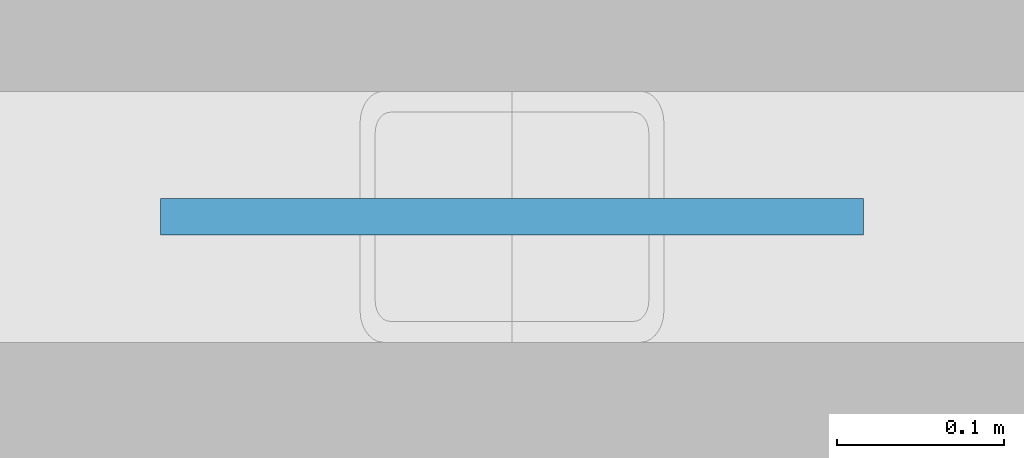
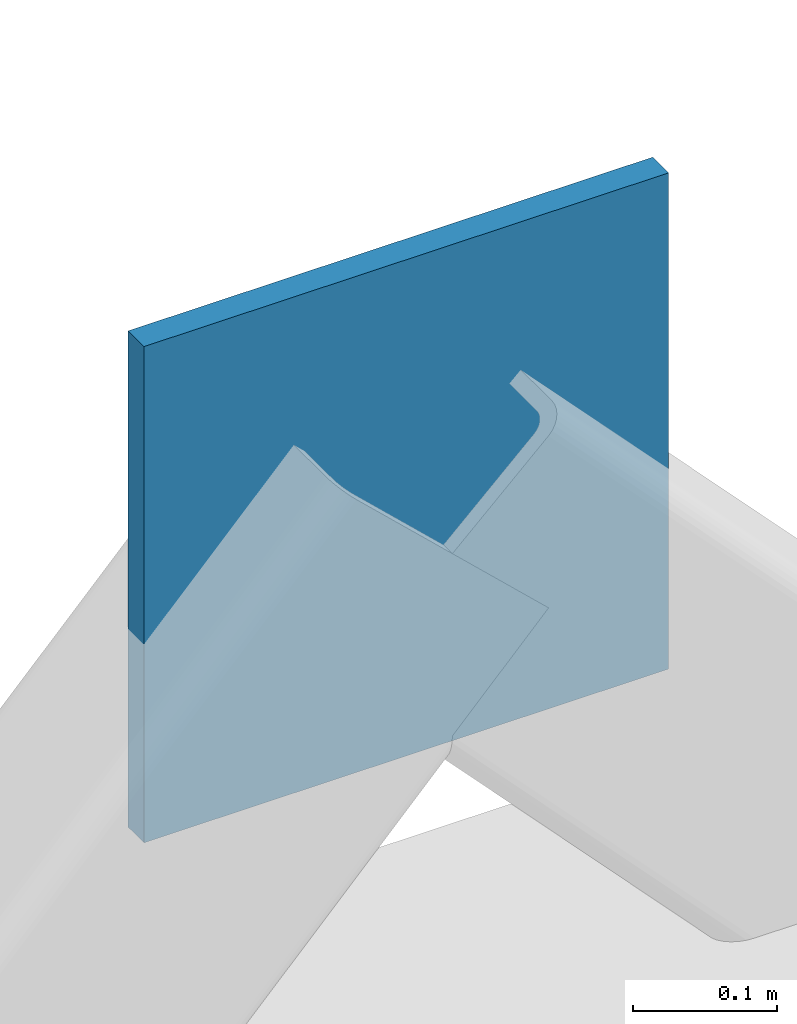
# One storey, part 68 of 107: 1 plate.
"""IFC4 building model written with IfcOpenShell, lengths in metres."""

from ifc_helpers import new_model, si_unit, direction, frame, origin, origin_2d, place, context, subcontext, project, spatial, rectangle, extrude, material, layer, layer_set, type_object, element, save


model = new_model("IFC4")

# Units and contexts
model_context = context("Model", 3, precision=1e-05, world=origin(), true_north=direction((0.0, 1.0)))
body_context = subcontext(model_context, "Body", "Model", "MODEL_VIEW")
ifc_project = project(units=[si_unit("LENGTHUNIT", "METRE"), si_unit("AREAUNIT", "SQUARE_METRE"), si_unit("VOLUMEUNIT", "CUBIC_METRE"), si_unit("PLANEANGLEUNIT", "RADIAN"), si_unit("MASSUNIT", "GRAM", prefix="KILO")], contexts=[model_context])

# Site, building, storey
site_placement = place(None, origin())
site = spatial("IfcSite", under=ifc_project, at=site_placement, CompositionType="ELEMENT")
building_placement = place(site_placement, origin())
building = spatial("IfcBuilding", under=site, at=building_placement, Name="Khelvaren Railside Concert Hall", CompositionType="ELEMENT")
storey_placement = place(building_placement, frame((0.0, 0.0, 15.0)))
storey = spatial("IfcBuildingStorey", under=building, at=storey_placement, Name="L03", CompositionType="ELEMENT", Elevation=15.0)

# Plate
ifc_material = material(Name="Steel S355", Category="steel")
ifc_layer = layer(ifc_material, 0.02197265625)
ifc_layer_set = layer_set([ifc_layer], Name="Steel S355")
plate_type = type_object("IfcPlateType", Name="STP73", PredefinedType="USERDEFINED", material=ifc_layer_set)
plate_placement = place(storey_placement, frame((156.0, 114.0, 4.070068359375), z_axis=(0.0, 0.0, 1.0), x_axis=(1.0, 0.0, 0.0)))
element("IfcPlate", 1, at=plate_placement, inside=storey, type_object=plate_type, Name="V5 L03 Brace Apex Stiffener Plate 64", ObjectType="STIFFENER PLATE", PredefinedType="USERDEFINED", context=body_context, shape_type="SweptSolid", body=[
    extrude(rectangle(XDim=0.419921875, YDim=0.02197265625, at=origin_2d()), origin(), (0.0, 0.0, 1.0), 0.419921875),
])

save(model, "model.ifc")
